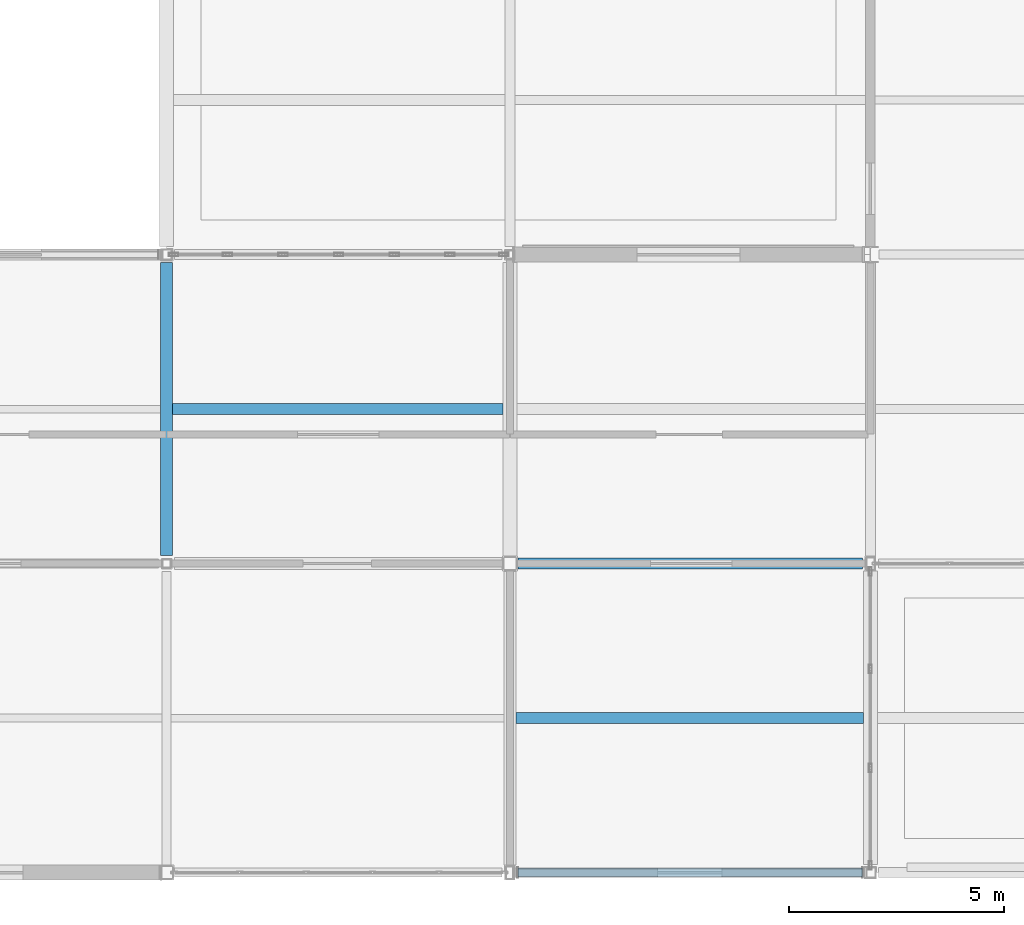
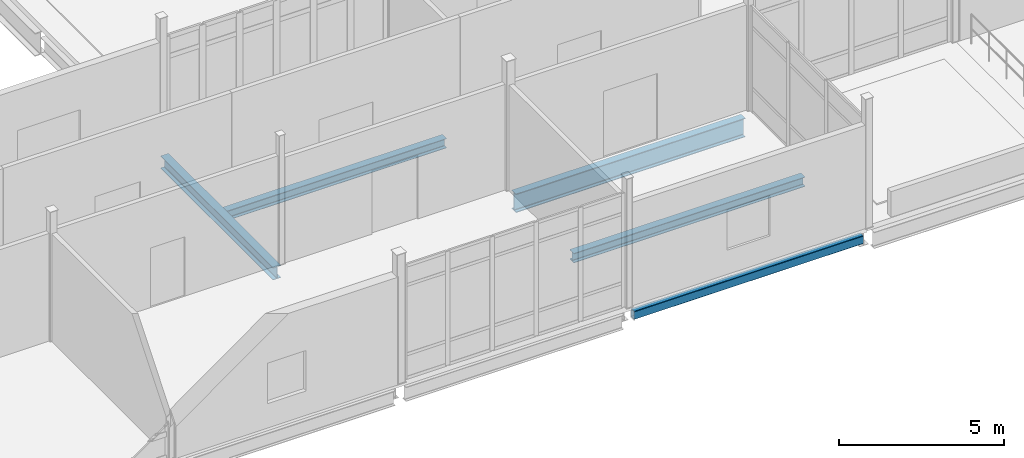
# One storey, part 54 of 186: 5 beams.
"""IFC4 building model written with IfcOpenShell, lengths in metres."""

from ifc_helpers import new_model, si_unit, direction, frame, origin, origin_2d, place, context, subcontext, project, spatial, hollow_rectangle, i_section, extrude, material, material_profile, profile_set, type_object, element, save


model = new_model("IFC4")

# Units and contexts
model_context = context("Model", 3, precision=1e-05, world=origin(), true_north=direction((0.0, 1.0)))
body_context = subcontext(model_context, "Body", "Model", "MODEL_VIEW")
ifc_project = project(units=[si_unit("LENGTHUNIT", "METRE"), si_unit("AREAUNIT", "SQUARE_METRE"), si_unit("VOLUMEUNIT", "CUBIC_METRE"), si_unit("PLANEANGLEUNIT", "RADIAN"), si_unit("MASSUNIT", "GRAM", prefix="KILO")], contexts=[model_context])

# Site, building, storey
site_placement = place(None, origin())
site = spatial("IfcSite", under=ifc_project, at=site_placement, CompositionType="ELEMENT")
building_placement = place(site_placement, origin())
building = spatial("IfcBuilding", under=site, at=building_placement, Name="Calvrana Isthmian Art Gallery", CompositionType="ELEMENT")
storey_placement = place(building_placement, frame((0.0, 0.0, 5.39990234375)))
storey = spatial("IfcBuildingStorey", under=building, at=storey_placement, Name="L01", CompositionType="ELEMENT", Elevation=5.39990234375)

# Beams
ifc_material_1 = material(Name="Steel ASTM A992 Gr 50", Category="steel")
ifc_material_profile_1 = material_profile(ifc_material_1, i_section(OverallWidth=0.279052734375, OverallDepth=0.4619140625, WebThickness=0.0107421875, FlangeThickness=0.017333984375, FilletRadius=0.02001953125, at=origin_2d()), Name="W18X76")
ifc_profile_set_1 = profile_set([ifc_material_profile_1], Name="Steel ASTM A992 Gr 50")
beam_type_1 = type_object("IfcBeamType", Name="BM-G-W18X76", PredefinedType="BEAM", material=ifc_profile_set_1)
beam_1_placement = place(storey_placement, frame((96.39990234375, 7.384033203125, -0.475830078125), z_axis=(0.0, 1.0, 0.0), x_axis=(-1.0, 0.0, 0.0)))
element("IfcBeam", 1, at=beam_1_placement, inside=storey, type_object=beam_type_1, Name="Girder Y L01 13/B-C", PredefinedType="BEAM", context=body_context, shape_type="SweptSolid", body=[
    extrude(i_section(OverallWidth=0.279052734375, OverallDepth=0.4619140625, WebThickness=0.0107421875, FlangeThickness=0.017333984375, FilletRadius=0.02001953125, at=origin_2d()), origin(), (0.0, 0.0, 1.0), 6.829345703125),
])
ifc_material_profile_2 = material_profile(ifc_material_1, i_section(OverallWidth=0.257080078125, OverallDepth=0.693115234375, WebThickness=0.014404296875, FlangeThickness=0.023681640625, FilletRadius=0.02392578125, at=origin_2d()), Name="W27X114")
ifc_profile_set_2 = profile_set([ifc_material_profile_2], Name="Steel ASTM A992 Gr 50")
beam_type_2 = type_object("IfcBeamType", Name="BM-G-W27X114", PredefinedType="BEAM", material=ifc_profile_set_2)
beam_2_placement = place(storey_placement, frame((104.58544921875, 7.199951171875, -0.59130859375), z_axis=(1.0, 0.0, 0.0), x_axis=(0.0, 1.0, 0.0)))
element("IfcBeam", 2, at=beam_2_placement, inside=storey, type_object=beam_type_2, Name="Girder X L01 14-15/B", PredefinedType="BEAM", context=body_context, shape_type="SweptSolid", body=[
    extrude(i_section(OverallWidth=0.257080078125, OverallDepth=0.693115234375, WebThickness=0.014404296875, FlangeThickness=0.023681640625, FilletRadius=0.02392578125, at=origin_2d()), origin(), (0.0, 0.0, 1.0), 8.030517578125),
])
ifc_material_profile_3 = material_profile(ifc_material_1, i_section(OverallWidth=0.25390625, OverallDepth=0.35302734375, WebThickness=0.009521484375, FlangeThickness=0.016357421875, FilletRadius=0.01806640625, at=origin_2d()), Name="W14X61")
ifc_profile_set_3 = profile_set([ifc_material_profile_3], Name="Steel ASTM A992 Gr 50")
beam_type_3 = type_object("IfcBeamType", Name="BM-J-W14X61", PredefinedType="JOIST", material=ifc_profile_set_3)
beam_3_placement = place(storey_placement, frame((96.53955078125, 10.800048828125, -0.42138671875), z_axis=(1.0, 0.0, 0.0), x_axis=(0.0, 1.0, 0.0)))
element("IfcBeam", 3, at=beam_3_placement, inside=storey, type_object=beam_type_3, Name="Composite joist L01 bay 12-01", PredefinedType="JOIST", context=body_context, shape_type="SweptSolid", body=[
    extrude(i_section(OverallWidth=0.25390625, OverallDepth=0.35302734375, WebThickness=0.009521484375, FlangeThickness=0.016357421875, FilletRadius=0.01806640625, at=origin_2d()), origin(), (0.0, 0.0, 1.0), 7.697998046875),
])
beam_4_placement = place(storey_placement, frame((104.53955078125, 3.60009765625, -0.42138671875), z_axis=(1.0, 0.0, 0.0), x_axis=(0.0, 1.0, 0.0)))
element("IfcBeam", 4, at=beam_4_placement, inside=storey, type_object=beam_type_3, Name="Composite joist L01 bay 13-00", PredefinedType="JOIST", context=body_context, shape_type="SweptSolid", body=[
    extrude(i_section(OverallWidth=0.25390625, OverallDepth=0.35302734375, WebThickness=0.009521484375, FlangeThickness=0.016357421875, FilletRadius=0.01806640625, at=origin_2d()), origin(), (0.0, 0.0, 1.0), 8.097900390625),
])
ifc_material_2 = material(Name="Steel ASTM A500 Gr C", Category="steel")
ifc_material_profile_4 = material_profile(ifc_material_2, hollow_rectangle(XDim=0.203125, YDim=0.3046875, WallThickness=0.0126953125, OuterFilletRadius=0.02490234375, at=origin_2d()), Name="HSS305X203X12.7")
ifc_profile_set_4 = profile_set([ifc_material_profile_4], Name="Steel ASTM A500 Gr C")
beam_type_4 = type_object("IfcBeamType", Name="BM-SP-HSS305", PredefinedType="SPANDREL", material=ifc_profile_set_4)
beam_5_placement = place(storey_placement, frame((104.583984375, 0.0, -0.397216796875), z_axis=(1.0, 0.0, 0.0), x_axis=(0.0, 1.0, 0.0)))
element("IfcBeam", 5, at=beam_5_placement, inside=storey, type_object=beam_type_4, Name="Girder X L01 14-15/A", PredefinedType="SPANDREL", context=body_context, shape_type="SweptSolid", body=[
    extrude(hollow_rectangle(XDim=0.203125, YDim=0.3046875, WallThickness=0.0126953125, OuterFilletRadius=0.02490234375, at=origin_2d()), origin(), (0.0, 0.0, 1.0), 8.029541015625),
])

save(model, "model.ifc")
